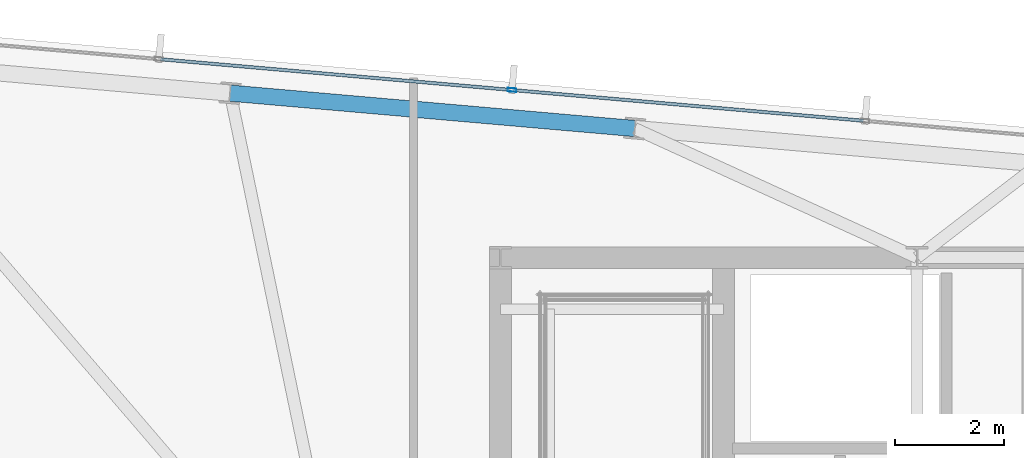
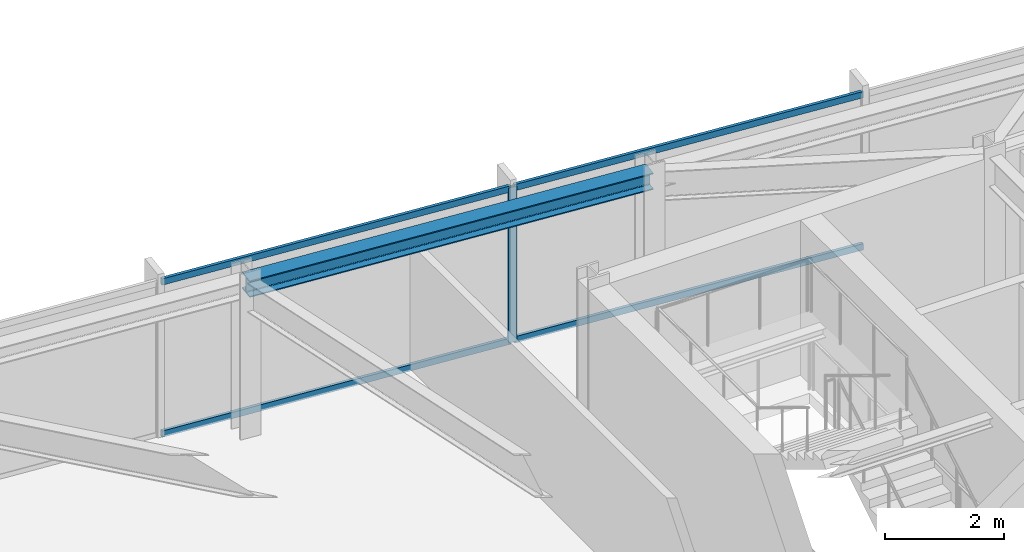
# One storey, part 24 of 33: 5 members, 1 beam, 1 element without a shape of its own.
"""IFC4 building model written with IfcOpenShell, lengths in metres."""

from ifc_helpers import new_model, si_unit, direction, frame, origin, origin_2d, place, context, subcontext, project, spatial, hollow_rectangle, i_section, extrude, material, material_profile, profile_set, type_object, element, aggregate, save


model = new_model("IFC4")

# Units and contexts
model_context = context("Model", 3, precision=1e-05, world=origin(), true_north=direction((0.0, 1.0)))
body_context = subcontext(model_context, "Body", "Model", "MODEL_VIEW")
ifc_project = project(units=[si_unit("LENGTHUNIT", "METRE"), si_unit("AREAUNIT", "SQUARE_METRE"), si_unit("VOLUMEUNIT", "CUBIC_METRE"), si_unit("PLANEANGLEUNIT", "RADIAN"), si_unit("MASSUNIT", "GRAM", prefix="KILO")], contexts=[model_context])

# Site, building, storey
site_placement = place(None, origin())
site = spatial("IfcSite", under=ifc_project, at=site_placement, CompositionType="ELEMENT")
building_placement = place(site_placement, origin())
building = spatial("IfcBuilding", under=site, at=building_placement, Name="Yelkora Congress Tower", CompositionType="ELEMENT")
storey_placement = place(building_placement, frame((0.0, 0.0, 289.699951171875)))
storey = spatial("IfcBuildingStorey", under=building, at=storey_placement, Name="L81", CompositionType="ELEMENT", Elevation=289.699951171875)

# Beam
ifc_material_1 = material(Name="Steel S355J2", Category="steel")
ifc_material_profile_1 = material_profile(ifc_material_1, i_section(OverallWidth=0.300048828125, OverallDepth=0.340087890625, WebThickness=0.011962890625, FlangeThickness=0.021484375, FilletRadius=0.027099609375, at=origin_2d()), Name="HEB 340")
ifc_profile_set_1 = profile_set([ifc_material_profile_1], Name="Steel S355J2")
beam_type = type_object("IfcBeamType", Name="BM-SPAN-HEB340", PredefinedType="SPANDREL", material=ifc_profile_set_1)
beam_placement = place(storey_placement, frame((25.513916015625, 48.57958984375, 3.010009765625), z_axis=(-0.996196266663, 0.087137812034, 0.0), x_axis=(-0.087137812034, -0.996196266663, 0.0)))
element("IfcBeam", 1, at=beam_placement, inside=storey, type_object=beam_type, Name="L81 Perimeter Beam 11", PredefinedType="SPANDREL", context=body_context, shape_type="SweptSolid", body=[
    extrude(i_section(OverallWidth=0.300048828125, OverallDepth=0.340087890625, WebThickness=0.011962890625, FlangeThickness=0.021484375, FilletRadius=0.027099609375, at=origin_2d()), origin(), (0.0, 0.0, 1.0), 7.483642578125),
])

# Curtain wall, members
ifc_material_2 = material(Name="Anodised aluminium and insulated glass", Category="aluminium")
curtain_wall_type = type_object("IfcCurtainWallType", Name="CW-SYS-B5", PredefinedType="NOTDEFINED", material=ifc_material_2)
curtain_wall_placement = place(storey_placement, origin())
curtain_wall = element("IfcCurtainWall", 2, at=curtain_wall_placement, inside=storey, type_object=curtain_wall_type, Name="L81 Unitised Curtain Wall 10", PredefinedType="NOTDEFINED")
ifc_material_3 = material(Name="Anodised aluminium 6063-T6", Category="aluminium")
ifc_material_profile_2 = material_profile(ifc_material_3, hollow_rectangle(XDim=0.06494140625, YDim=0.159912109375, WallThickness=0.00390625, at=origin_2d()), Name="ALU 65x160x4")
ifc_profile_set_2 = profile_set([ifc_material_profile_2], Name="Anodised aluminium 6063-T6")
member_type_1 = type_object("IfcMemberType", Name="MEM-ML-B5", PredefinedType="MULLION", material=ifc_profile_set_2)
member_1_placement = place(storey_placement, frame((23.253173828125, 49.289306640625, 0.0), z_axis=(0.0, 0.0, 1.0), x_axis=(0.087156639893, 0.996194619601, 0.0)))
member_1 = element("IfcMember", 3, at=member_1_placement, type_object=member_type_1, Name="CW-B5 mullion 3", PredefinedType="MULLION", context=body_context, shape_type="SweptSolid", body=[
    extrude(hollow_rectangle(XDim=0.06494140625, YDim=0.159912109375, WallThickness=0.00390625, at=origin_2d()), origin(), (0.0, 0.0, 1.0), 3.179931640625),
])
ifc_material_profile_3 = material_profile(ifc_material_3, hollow_rectangle(XDim=0.06005859375, YDim=0.1298828125, WallThickness=0.00390625, at=origin_2d()), Name="ALU 60x130x4")
ifc_profile_set_3 = profile_set([ifc_material_profile_3], Name="Anodised aluminium 6063-T6")
member_type_2 = type_object("IfcMemberType", Name="MEM-TR-B5", PredefinedType="USERDEFINED", material=ifc_profile_set_3)
member_2_placement = place(storey_placement, frame((16.779052734375, 49.855712890625, 0.030029296875), z_axis=(0.996195971174, -0.087141190126, 0.0), x_axis=(0.087141190126, 0.996195971174, 0.0)))
member_2 = element("IfcMember", 4, at=member_2_placement, type_object=member_type_2, Name="CW-B5 transom 2.1", ObjectType="TRANSOM", PredefinedType="USERDEFINED", context=body_context, shape_type="SweptSolid", body=[
    extrude(hollow_rectangle(XDim=0.06005859375, YDim=0.1298828125, WallThickness=0.00390625, at=origin_2d()), origin(), (0.0, 0.0, 1.0), 6.46630859375),
])
member_3_placement = place(storey_placement, frame((16.779052734375, 49.855712890625, 3.150146484375), z_axis=(0.996195971174, -0.087141190126, 0.0), x_axis=(0.087141190126, 0.996195971174, 0.0)))
member_3 = element("IfcMember", 5, at=member_3_placement, type_object=member_type_2, Name="CW-B5 transom 2.2", ObjectType="TRANSOM", PredefinedType="USERDEFINED", context=body_context, shape_type="SweptSolid", body=[
    extrude(hollow_rectangle(XDim=0.06005859375, YDim=0.1298828125, WallThickness=0.00390625, at=origin_2d()), origin(), (0.0, 0.0, 1.0), 6.46630859375),
])
member_4_placement = place(storey_placement, frame((23.285400390625, 49.286376953125, 0.030029296875), z_axis=(0.996196257862, -0.087137912649, 0.0), x_axis=(0.087137912649, 0.996196257862, 0.0)))
member_4 = element("IfcMember", 6, at=member_4_placement, type_object=member_type_2, Name="CW-B5 transom 3.1", ObjectType="TRANSOM", PredefinedType="USERDEFINED", context=body_context, shape_type="SweptSolid", body=[
    extrude(hollow_rectangle(XDim=0.06005859375, YDim=0.1298828125, WallThickness=0.00390625, at=origin_2d()), origin(), (0.0, 0.0, 1.0), 6.466552734375),
])
member_5_placement = place(storey_placement, frame((23.285400390625, 49.286376953125, 3.150146484375), z_axis=(0.996196257862, -0.087137912649, 0.0), x_axis=(0.087137912649, 0.996196257862, 0.0)))
member_5 = element("IfcMember", 7, at=member_5_placement, type_object=member_type_2, Name="CW-B5 transom 3.2", ObjectType="TRANSOM", PredefinedType="USERDEFINED", context=body_context, shape_type="SweptSolid", body=[
    extrude(hollow_rectangle(XDim=0.06005859375, YDim=0.1298828125, WallThickness=0.00390625, at=origin_2d()), origin(), (0.0, 0.0, 1.0), 6.466552734375),
])
aggregate(curtain_wall, [member_1, member_2, member_3, member_4, member_5])

save(model, "model.ifc")
